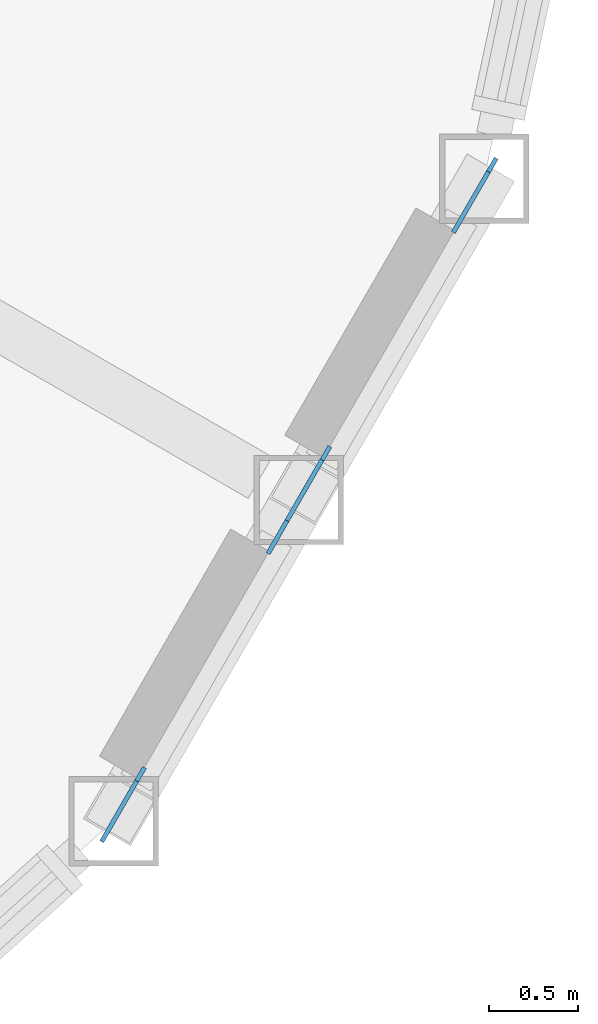
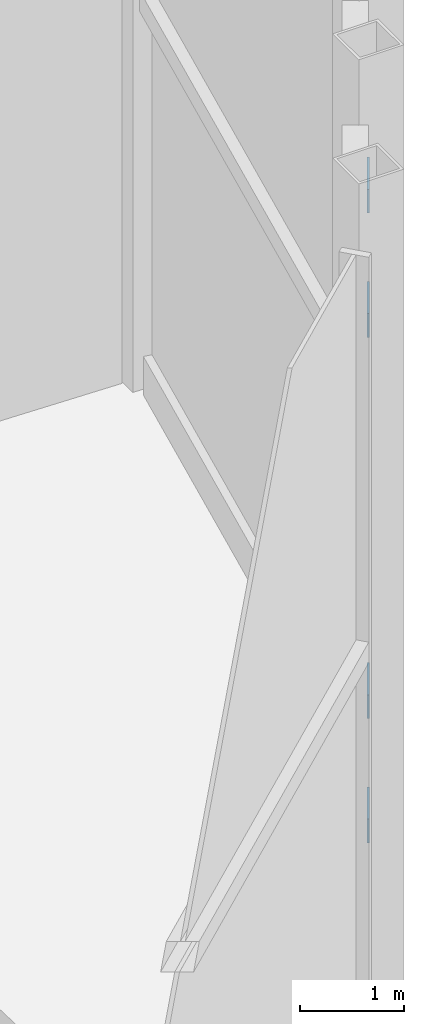
# One storey, part 13 of 18: 4 discrete accessories.
"""IFC4 building model written with IfcOpenShell, lengths in metres."""

from ifc_helpers import new_model, si_unit, direction, frame, origin, origin_2d, place, context, subcontext, project, spatial, rectangle, extrude, material, material_profile, profile_set, type_object, element, save


model = new_model("IFC4")

# Units and contexts
model_context = context("Model", 3, precision=1e-05, world=origin(), true_north=direction((0.0, 1.0)))
body_context = subcontext(model_context, "Body", "Model", "MODEL_VIEW")
ifc_project = project(units=[si_unit("LENGTHUNIT", "METRE"), si_unit("AREAUNIT", "SQUARE_METRE"), si_unit("VOLUMEUNIT", "CUBIC_METRE"), si_unit("PLANEANGLEUNIT", "RADIAN"), si_unit("MASSUNIT", "GRAM", prefix="KILO")], contexts=[model_context])

# Site, building, storey
site_placement = place(None, origin())
site = spatial("IfcSite", under=ifc_project, at=site_placement, CompositionType="ELEMENT")
building_placement = place(site_placement, origin())
building = spatial("IfcBuilding", under=site, at=building_placement, Name="Cormorant Prow Tower", CompositionType="ELEMENT")
storey_placement = place(building_placement, frame((0.0, 0.0, 405.199951171875)))
storey = spatial("IfcBuildingStorey", under=building, at=storey_placement, Name="L93", CompositionType="ELEMENT", Elevation=405.199951171875)

# Discrete accessories
ifc_material = material(Name="Structural steel ASTM A500 Gr C", Category="steel")
ifc_material_profile = material_profile(ifc_material, rectangle(XDim=0.02490234375, YDim=0.405029296875, at=origin_2d()), Name="Gusset plate 25x405")
ifc_profile_set = profile_set([ifc_material_profile], Name="Structural steel ASTM A500 Gr C")
discrete_accessory_type = type_object("IfcDiscreteAccessoryType", Name="Gusset plate 25x405", PredefinedType="BRACKET", material=ifc_profile_set)
discrete_accessory_placement = place(storey_placement, frame((26.9619140625, -15.73974609375, 1.180908203125), z_axis=(0.124857543431, 0.21693126261, -0.968169107724), x_axis=(-0.866695481028, 0.498837591974, 0.0)))
element("IfcDiscreteAccessory", 1, at=discrete_accessory_placement, inside=storey, type_object=discrete_accessory_type, Name="Gusset plate GP3 L93.ESE00.g0", PredefinedType="BRACKET", context=body_context, shape_type="SweptSolid", body=[
    extrude(rectangle(XDim=0.02490234375, YDim=0.405029296875, at=origin_2d()), origin(), (0.0, 0.0, 1.0), 0.35009765625),
])
for number, where, z_axis, x_axis, name in (
    (2, (26.074951171875, -17.27587890625, 8.052978515625), (-0.124876410235, -0.216266408787, 0.968315404503), (0.865999496279, -0.500044870432, 0.0), "Gusset plate GP3 L93.ESE00.g1"),
    (3, (27.998779296875, -13.943603515625, 1.180908203125), (0.124876410235, 0.216266408787, -0.968315404503), (-0.865999496279, 0.500044870432, 0.0), "Gusset plate GP3 L93.ESE01.g0"),
    (4, (27.11181640625, -15.47998046875, 8.052978515625), (-0.124876410235, -0.216266408787, 0.968315404503), (0.865999496279, -0.500044870432, 0.0), "Gusset plate GP3 L93.ESE01.g1"),
):
    element("IfcDiscreteAccessory", number, at=place(storey_placement, frame(where, z_axis=z_axis, x_axis=x_axis)), inside=storey, type_object=discrete_accessory_type, Name=name, PredefinedType="BRACKET", context=body_context, shape_type="SweptSolid", body=[
        extrude(rectangle(XDim=0.02490234375, YDim=0.405029296875, at=origin_2d()), origin(), (0.0, 0.0, 1.0), 0.349853515625),
    ])

save(model, "model.ifc")
